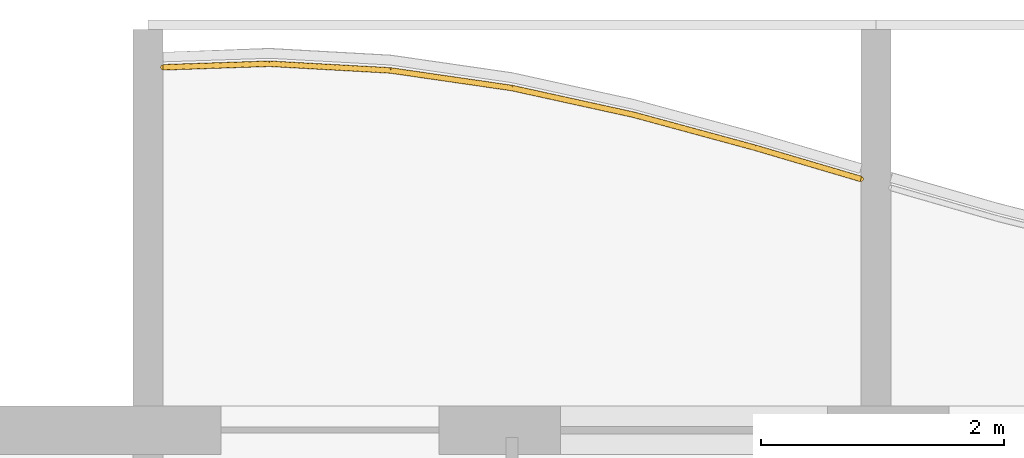
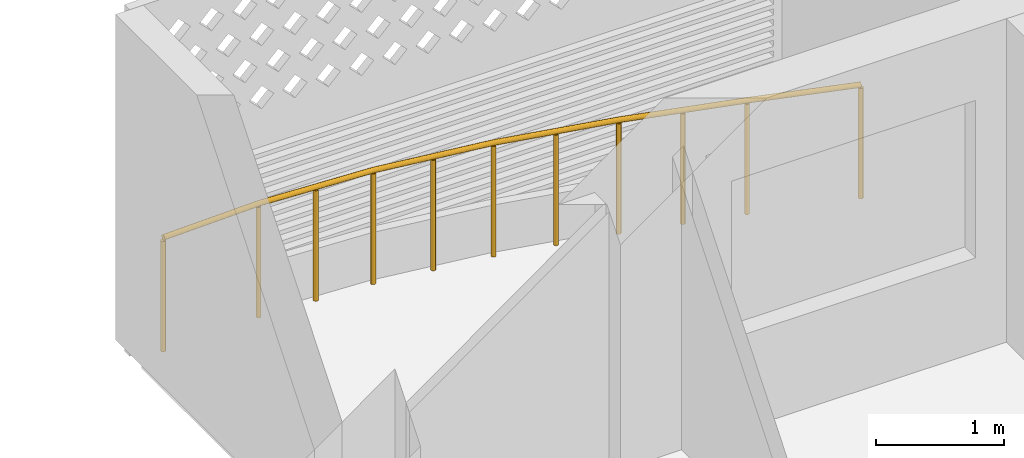
# One storey, part 16 of 27: 1 railing.
"""IFC4 building model written with IfcOpenShell, lengths in metres."""

from ifc_helpers import new_model, si_unit, direction, frame, origin, origin_2d, place, context, subcontext, project, spatial, circle, extrude, material, type_object, element, save


model = new_model("IFC4")

# Units and contexts
model_context = context("Model", 3, precision=1e-05, world=origin(), true_north=direction((0.0, 1.0)))
body_context = subcontext(model_context, "Body", "Model", "MODEL_VIEW")
ifc_project = project(units=[si_unit("LENGTHUNIT", "METRE"), si_unit("AREAUNIT", "SQUARE_METRE"), si_unit("VOLUMEUNIT", "CUBIC_METRE"), si_unit("PLANEANGLEUNIT", "RADIAN"), si_unit("MASSUNIT", "GRAM", prefix="KILO")], contexts=[model_context])

# Site, building, storey
site_placement = place(None, origin())
site = spatial("IfcSite", under=ifc_project, at=site_placement, CompositionType="ELEMENT")
building_placement = place(site_placement, origin())
building = spatial("IfcBuilding", under=site, at=building_placement, Name="Poui Terraces", CompositionType="ELEMENT")
storey_placement = place(building_placement, frame((0.0, 0.0, 195.0)))
storey = spatial("IfcBuildingStorey", under=building, at=storey_placement, Name="L54", CompositionType="ELEMENT", Elevation=195.0)

# Railing
ifc_material = material(Name="Painted steel fretwork", Category="steel")
railing_type = type_object("IfcRailingType", Name="BALCONY GUARD 1100", PredefinedType="GUARDRAIL", material=ifc_material)
railing_placement = place(storey_placement, frame((24.125, 44.190185546875, 0.0)))
element("IfcRailing", 1, at=railing_placement, inside=storey, type_object=railing_type, Name="BALCONY GUARD", PredefinedType="GUARDRAIL", context=body_context, shape_type="SweptSolid", body=[
    extrude(circle(Radius=0.02392578125, at=origin_2d()), frame((0.0, 0.0, 1.076171875), z_axis=(0.999430578744, 0.033741936392, 0.0), x_axis=(-0.033741936392, 0.999430578744, 0.0)), (0.0, 0.0, 1.0), 0.87548828125),
    extrude(circle(Radius=0.02392578125, at=origin_2d()), frame((0.875, 0.029541015625, 1.076171875), z_axis=(0.998467844587, -0.055335009942, 0.0), x_axis=(0.055335009942, 0.998467844587, 0.0)), (0.0, 0.0, 1.0), 1.00146484375),
    extrude(circle(Radius=0.02392578125, at=origin_2d()), frame((1.875, -0.02587890625, 1.076171875), z_axis=(0.989647671833, -0.143518241472, 0.0), x_axis=(0.143518241472, 0.989647671833, 0.0)), (0.0, 0.0, 1.0), 1.010498046875),
    extrude(circle(Radius=0.02392578125, at=origin_2d()), frame((2.875, -0.1708984375, 1.076171875), z_axis=(0.97675043296, -0.214379550593, 0.0), x_axis=(0.214379550593, 0.97675043296, 0.0)), (0.0, 0.0, 1.0), 1.023681640625),
    extrude(circle(Radius=0.02392578125, at=origin_2d()), frame((3.875, -0.390380859375, 1.076171875), z_axis=(0.965067658743, -0.262000790167, 0.0), x_axis=(0.262000790167, 0.965067658743, 0.0)), (0.0, 0.0, 1.0), 1.0361328125),
    extrude(circle(Radius=0.02392578125, at=origin_2d()), frame((4.875, -0.661865234375, 1.076171875), z_axis=(0.959156425707, -0.282876211488, 0.0), x_axis=(0.282876211488, 0.959156425707, 0.0)), (0.0, 0.0, 1.0), 0.912353515625),
    extrude(circle(Radius=0.02099609375, at=origin_2d()), origin(), (0.0, 0.0, 1.0), 1.052001953125),
    extrude(circle(Radius=0.02099609375, at=origin_2d()), frame((0.875, 0.029541015625, 0.0)), (0.0, 0.0, 1.0), 1.052001953125),
    extrude(circle(Radius=0.02099609375, at=origin_2d()), frame((1.375, 0.001953125, 0.0)), (0.0, 0.0, 1.0), 1.052001953125),
    extrude(circle(Radius=0.02099609375, at=origin_2d()), frame((1.875, -0.02587890625, 0.0)), (0.0, 0.0, 1.0), 1.052001953125),
    extrude(circle(Radius=0.02099609375, at=origin_2d()), frame((2.375, -0.098388671875, 0.0)), (0.0, 0.0, 1.0), 1.052001953125),
    extrude(circle(Radius=0.02099609375, at=origin_2d()), frame((2.875, -0.1708984375, 0.0)), (0.0, 0.0, 1.0), 1.052001953125),
    extrude(circle(Radius=0.02099609375, at=origin_2d()), frame((3.375, -0.28076171875, 0.0)), (0.0, 0.0, 1.0), 1.052001953125),
    extrude(circle(Radius=0.02099609375, at=origin_2d()), frame((3.875, -0.390380859375, 0.0)), (0.0, 0.0, 1.0), 1.052001953125),
    extrude(circle(Radius=0.02099609375, at=origin_2d()), frame((4.375, -0.526123046875, 0.0)), (0.0, 0.0, 1.0), 1.052001953125),
    extrude(circle(Radius=0.02099609375, at=origin_2d()), frame((4.875, -0.661865234375, 0.0)), (0.0, 0.0, 1.0), 1.052001953125),
    extrude(circle(Radius=0.02099609375, at=origin_2d()), frame((5.75, -0.919921875, 0.0)), (0.0, 0.0, 1.0), 1.052001953125),
])

save(model, "model.ifc")
